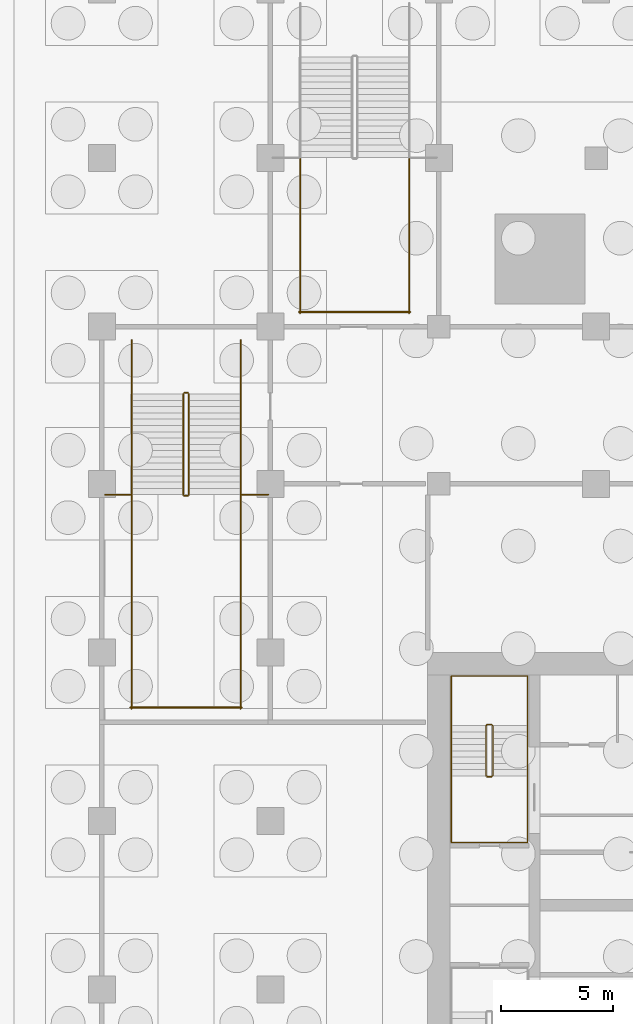
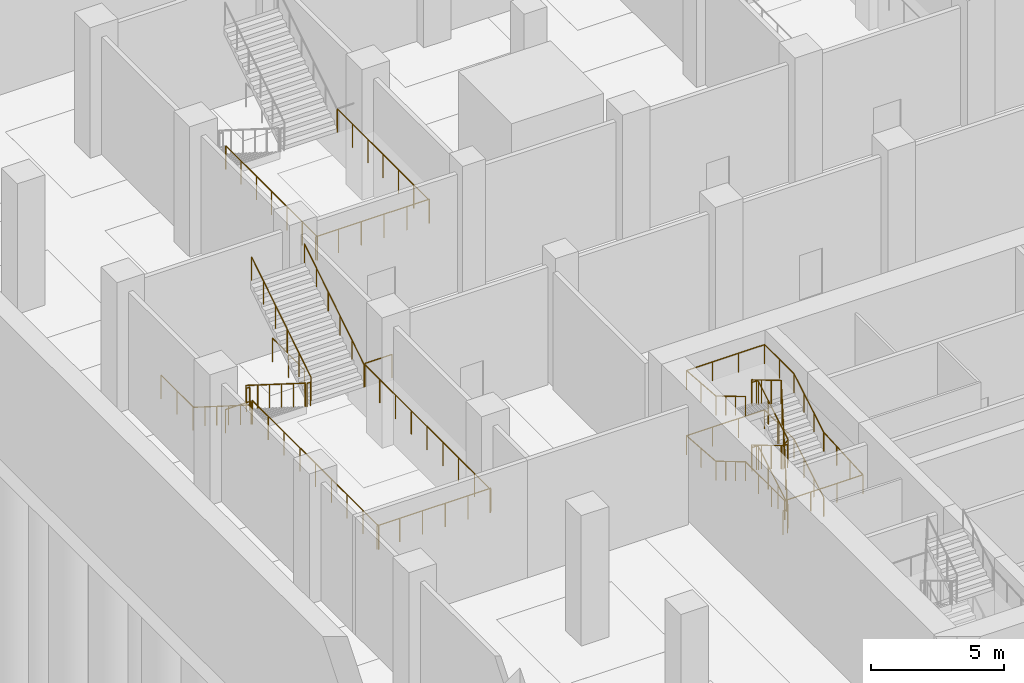
# One storey, part 30 of 39: 18 railings.
"""IFC4 building model written with IfcOpenShell, lengths in metres."""

from ifc_helpers import new_model, si_unit, direction, frame, origin, origin_2d, place, context, subcontext, project, spatial, circle, extrude, material, type_object, element, save


model = new_model("IFC4")

# Units and contexts
model_context = context("Model", 3, precision=1e-05, world=origin(), true_north=direction((0.0, 1.0)))
body_context = subcontext(model_context, "Body", "Model", "MODEL_VIEW")
ifc_project = project(units=[si_unit("LENGTHUNIT", "METRE"), si_unit("AREAUNIT", "SQUARE_METRE"), si_unit("VOLUMEUNIT", "CUBIC_METRE"), si_unit("PLANEANGLEUNIT", "RADIAN"), si_unit("MASSUNIT", "GRAM", prefix="KILO")], contexts=[model_context])

# Site, building, storey
site_placement = place(None, origin())
site = spatial("IfcSite", under=ifc_project, at=site_placement, CompositionType="ELEMENT")
building_placement = place(site_placement, origin())
building = spatial("IfcBuilding", under=site, at=building_placement, Name="Tamorin Gate", CompositionType="ELEMENT")
storey_placement = place(building_placement, frame((0.0, 0.0, -12.0)))
storey = spatial("IfcBuildingStorey", under=building, at=storey_placement, Name="B2", CompositionType="ELEMENT", Elevation=-12.0)

# Railings
ifc_material_1 = material(Name="Steel", Category="steel")
railing_type_1 = type_object("IfcRailingType", Name="Podium guard 1100", PredefinedType="GUARDRAIL", material=ifc_material_1)
railing_1_placement = place(storey_placement, frame((19.125, 94.0, 0.176513671875)))
element("IfcRailing", 1, at=railing_1_placement, inside=storey, type_object=railing_type_1, Name="B2 SB1 stair guard 1", PredefinedType="GUARDRAIL", context=body_context, shape_type="SweptSolid", body=[
    extrude(circle(Radius=0.02392578125, at=origin_2d()), frame((0.0, 0.0, 1.076171875), z_axis=(0.0, -0.845997938375, 0.533186166611), x_axis=(1.0, 0.0, 0.0)), (0.0, 0.0, 1.0), 5.29541015625),
    extrude(circle(Radius=0.02099609375, at=origin_2d()), origin(), (0.0, 0.0, 1.0), 1.052001953125),
    extrude(circle(Radius=0.02099609375, at=origin_2d()), frame((0.0, -0.89599609375, 0.564697265625)), (0.0, 0.0, 1.0), 1.052001953125),
    extrude(circle(Radius=0.02099609375, at=origin_2d()), frame((0.0, -1.7919921875, 1.12939453125)), (0.0, 0.0, 1.0), 1.052001953125),
    extrude(circle(Radius=0.02099609375, at=origin_2d()), frame((0.0, -2.68798828125, 1.694091796875)), (0.0, 0.0, 1.0), 1.052001953125),
    extrude(circle(Radius=0.02099609375, at=origin_2d()), frame((0.0, -3.583984375, 2.2587890625)), (0.0, 0.0, 1.0), 1.052001953125),
    extrude(circle(Radius=0.02099609375, at=origin_2d()), frame((0.0, -4.47998046875, 2.823486328125)), (0.0, 0.0, 1.0), 1.052001953125),
])
railing_2_placement = place(storey_placement, frame((19.175048828125, 89.469970703125, 3.0)))
element("IfcRailing", 2, at=railing_2_placement, inside=storey, type_object=railing_type_1, Name="B2 SB1 stair guard 2", PredefinedType="GUARDRAIL", context=body_context, shape_type="SweptSolid", body=[
    extrude(circle(Radius=0.02392578125, at=origin_2d()), frame((0.0, 0.0, 1.076171875), z_axis=(1.0, 0.0, 0.0), x_axis=(0.0, 1.0, 0.0)), (0.0, 0.0, 1.0), 0.14990234375),
    extrude(circle(Radius=0.02099609375, at=origin_2d()), origin(), (0.0, 0.0, 1.0), 1.052001953125),
    extrude(circle(Radius=0.02099609375, at=origin_2d()), frame((0.14990234375, 0.0, 0.0)), (0.0, 0.0, 1.0), 1.052001953125),
])
for number, where, name in (
    (3, (16.824951171875, 89.52001953125, 3.0), "B2 SB1 stair guard 3"),
    (4, (21.675048828125, 89.52001953125, 3.0), "B2 SB1 stair guard 4"),
):
    element("IfcRailing", number, at=place(storey_placement, frame(where)), inside=storey, type_object=railing_type_1, Name=name, PredefinedType="GUARDRAIL", context=body_context, shape_type="SweptSolid", body=[
        extrude(circle(Radius=0.02392578125, at=origin_2d()), frame((0.0, 0.0, 1.076171875), z_axis=(0.0, -1.0, 0.0), x_axis=(1.0, 0.0, 0.0)), (0.0, 0.0, 1.0), 9.52001953125),
        extrude(circle(Radius=0.02099609375, at=origin_2d()), origin(), (0.0, 0.0, 1.0), 1.052001953125),
        extrude(circle(Radius=0.02099609375, at=origin_2d()), frame((0.0, -1.18994140625, 0.0)), (0.0, 0.0, 1.0), 1.052001953125),
        extrude(circle(Radius=0.02099609375, at=origin_2d()), frame((0.0, -2.3798828125, 0.0)), (0.0, 0.0, 1.0), 1.052001953125),
        extrude(circle(Radius=0.02099609375, at=origin_2d()), frame((0.0, -3.570068359375, 0.0)), (0.0, 0.0, 1.0), 1.052001953125),
        extrude(circle(Radius=0.02099609375, at=origin_2d()), frame((0.0, -4.760009765625, 0.0)), (0.0, 0.0, 1.0), 1.052001953125),
        extrude(circle(Radius=0.02099609375, at=origin_2d()), frame((0.0, -5.949951171875, 0.0)), (0.0, 0.0, 1.0), 1.052001953125),
        extrude(circle(Radius=0.02099609375, at=origin_2d()), frame((0.0, -7.14013671875, 0.0)), (0.0, 0.0, 1.0), 1.052001953125),
        extrude(circle(Radius=0.02099609375, at=origin_2d()), frame((0.0, -8.330078125, 0.0)), (0.0, 0.0, 1.0), 1.052001953125),
        extrude(circle(Radius=0.02099609375, at=origin_2d()), frame((0.0, -9.52001953125, 0.0)), (0.0, 0.0, 1.0), 1.052001953125),
    ])
railing_3_placement = place(storey_placement, frame((16.77490234375, 80.050048828125, 3.0)))
element("IfcRailing", 5, at=railing_3_placement, inside=storey, type_object=railing_type_1, Name="B2 SB1 stair guard 5", PredefinedType="GUARDRAIL", context=body_context, shape_type="SweptSolid", body=[
    extrude(circle(Radius=0.02392578125, at=origin_2d()), frame((0.0, 0.0, 1.076171875), z_axis=(1.0, 0.0, 0.0), x_axis=(0.0, 1.0, 0.0)), (0.0, 0.0, 1.0), 4.9501953125),
    extrude(circle(Radius=0.02099609375, at=origin_2d()), origin(), (0.0, 0.0, 1.0), 1.052001953125),
    extrude(circle(Radius=0.02099609375, at=origin_2d()), frame((0.989990234375, 0.0, 0.0)), (0.0, 0.0, 1.0), 1.052001953125),
    extrude(circle(Radius=0.02099609375, at=origin_2d()), frame((1.97998046875, 0.0, 0.0)), (0.0, 0.0, 1.0), 1.052001953125),
    extrude(circle(Radius=0.02099609375, at=origin_2d()), frame((2.97021484375, 0.0, 0.0)), (0.0, 0.0, 1.0), 1.052001953125),
    extrude(circle(Radius=0.02099609375, at=origin_2d()), frame((3.960205078125, 0.0, 0.0)), (0.0, 0.0, 1.0), 1.052001953125),
    extrude(circle(Radius=0.02099609375, at=origin_2d()), frame((4.9501953125, 0.0, 0.0)), (0.0, 0.0, 1.0), 1.052001953125),
])
railing_4_placement = place(storey_placement, frame((19.375, 89.52001953125, 3.176513671875)))
element("IfcRailing", 6, at=railing_4_placement, inside=storey, type_object=railing_type_1, Name="B2 SB1 stair guard 6", PredefinedType="GUARDRAIL", context=body_context, shape_type="SweptSolid", body=[
    extrude(circle(Radius=0.02392578125, at=origin_2d()), frame((0.0, 0.0, 1.076171875), z_axis=(0.0, 0.845997938375, 0.533186166611), x_axis=(-1.0, 0.0, 0.0)), (0.0, 0.0, 1.0), 5.29541015625),
    extrude(circle(Radius=0.02099609375, at=origin_2d()), origin(), (0.0, 0.0, 1.0), 1.052001953125),
    extrude(circle(Radius=0.02099609375, at=origin_2d()), frame((0.0, 0.89599609375, 0.564697265625)), (0.0, 0.0, 1.0), 1.052001953125),
    extrude(circle(Radius=0.02099609375, at=origin_2d()), frame((0.0, 1.7919921875, 1.12939453125)), (0.0, 0.0, 1.0), 1.052001953125),
    extrude(circle(Radius=0.02099609375, at=origin_2d()), frame((0.0, 2.68798828125, 1.694091796875)), (0.0, 0.0, 1.0), 1.052001953125),
    extrude(circle(Radius=0.02099609375, at=origin_2d()), frame((0.0, 3.583984375, 2.2587890625)), (0.0, 0.0, 1.0), 1.052001953125),
    extrude(circle(Radius=0.02099609375, at=origin_2d()), frame((0.0, 4.47998046875, 2.823486328125)), (0.0, 0.0, 1.0), 1.052001953125),
])
railing_5_placement = place(storey_placement, frame((19.175048828125, 94.050048828125, 0.0)))
element("IfcRailing", 7, at=railing_5_placement, inside=storey, type_object=railing_type_1, Name="B2 SB1 stair guard 7", PredefinedType="GUARDRAIL", context=body_context, shape_type="SweptSolid", body=[
    extrude(circle(Radius=0.02392578125, at=origin_2d()), frame((0.0, 0.0, 1.076171875), z_axis=(1.0, 0.0, 0.0), x_axis=(0.0, 1.0, 0.0)), (0.0, 0.0, 1.0), 0.14990234375),
    extrude(circle(Radius=0.02099609375, at=origin_2d()), origin(), (0.0, 0.0, 1.0), 1.052001953125),
    extrude(circle(Radius=0.02099609375, at=origin_2d()), frame((0.14990234375, 0.0, 0.0)), (0.0, 0.0, 1.0), 1.052001953125),
])
for number, where, name in (
    (8, (16.824951171875, 96.39990234375, 0.0), "B2 SB1 stair guard 8"),
    (9, (21.675048828125, 96.39990234375, 0.0), "B2 SB1 stair guard 9"),
):
    element("IfcRailing", number, at=place(storey_placement, frame(where)), inside=storey, type_object=railing_type_1, Name=name, PredefinedType="GUARDRAIL", context=body_context, shape_type="SweptSolid", body=[
        extrude(circle(Radius=0.02392578125, at=origin_2d()), frame((0.0, 0.0, 1.076171875), z_axis=(0.0, -1.0, 0.0), x_axis=(1.0, 0.0, 0.0)), (0.0, 0.0, 1.0), 2.39990234375),
        extrude(circle(Radius=0.02099609375, at=origin_2d()), origin(), (0.0, 0.0, 1.0), 1.052001953125),
        extrude(circle(Radius=0.02099609375, at=origin_2d()), frame((0.0, -1.199951171875, 0.0)), (0.0, 0.0, 1.0), 1.052001953125),
        extrude(circle(Radius=0.02099609375, at=origin_2d()), frame((0.0, -2.39990234375, 0.0)), (0.0, 0.0, 1.0), 1.052001953125),
    ])
railing_6_placement = place(storey_placement, frame((15.64990234375, 89.52001953125, 3.0)))
element("IfcRailing", 10, at=railing_6_placement, inside=storey, type_object=railing_type_1, Name="Landing edge guard", PredefinedType="GUARDRAIL", context=body_context, shape_type="SweptSolid", body=[
    extrude(circle(Radius=0.02392578125, at=origin_2d()), frame((0.0, 0.0, 1.076171875), z_axis=(1.0, 0.0, 0.0), x_axis=(0.0, 1.0, 0.0)), (0.0, 0.0, 1.0), 1.125),
    extrude(circle(Radius=0.02099609375, at=origin_2d()), origin(), (0.0, 0.0, 1.0), 1.052001953125),
    extrude(circle(Radius=0.02099609375, at=origin_2d()), frame((1.125, 0.0, 0.0)), (0.0, 0.0, 1.0), 1.052001953125),
])
railing_7_placement = place(storey_placement, frame((21.72509765625, 89.52001953125, 3.0)))
element("IfcRailing", 11, at=railing_7_placement, inside=storey, type_object=railing_type_1, Name="Landing edge guard", PredefinedType="GUARDRAIL", context=body_context, shape_type="SweptSolid", body=[
    extrude(circle(Radius=0.02392578125, at=origin_2d()), frame((0.0, 0.0, 1.076171875), z_axis=(1.0, 0.0, 0.0), x_axis=(0.0, 1.0, 0.0)), (0.0, 0.0, 1.0), 1.1748046875),
    extrude(circle(Radius=0.02099609375, at=origin_2d()), origin(), (0.0, 0.0, 1.0), 1.052001953125),
    extrude(circle(Radius=0.02099609375, at=origin_2d()), frame((1.1748046875, 0.0, 0.0)), (0.0, 0.0, 1.0), 1.052001953125),
])
for number, where, name in (
    (12, (24.324951171875, 104.52001953125, 3.0), "B2 SB2 stair guard 3"),
    (13, (29.175048828125, 104.52001953125, 3.0), "B2 SB2 stair guard 4"),
):
    element("IfcRailing", number, at=place(storey_placement, frame(where)), inside=storey, type_object=railing_type_1, Name=name, PredefinedType="GUARDRAIL", context=body_context, shape_type="SweptSolid", body=[
        extrude(circle(Radius=0.02392578125, at=origin_2d()), frame((0.0, 0.0, 1.076171875), z_axis=(0.0, -1.0, 0.0), x_axis=(1.0, 0.0, 0.0)), (0.0, 0.0, 1.0), 6.919921875),
        extrude(circle(Radius=0.02099609375, at=origin_2d()), origin(), (0.0, 0.0, 1.0), 1.052001953125),
        extrude(circle(Radius=0.02099609375, at=origin_2d()), frame((0.0, -1.1533203125, 0.0)), (0.0, 0.0, 1.0), 1.052001953125),
        extrude(circle(Radius=0.02099609375, at=origin_2d()), frame((0.0, -2.306640625, 0.0)), (0.0, 0.0, 1.0), 1.052001953125),
        extrude(circle(Radius=0.02099609375, at=origin_2d()), frame((0.0, -3.4599609375, 0.0)), (0.0, 0.0, 1.0), 1.052001953125),
        extrude(circle(Radius=0.02099609375, at=origin_2d()), frame((0.0, -4.61328125, 0.0)), (0.0, 0.0, 1.0), 1.052001953125),
        extrude(circle(Radius=0.02099609375, at=origin_2d()), frame((0.0, -5.7666015625, 0.0)), (0.0, 0.0, 1.0), 1.052001953125),
        extrude(circle(Radius=0.02099609375, at=origin_2d()), frame((0.0, -6.919921875, 0.0)), (0.0, 0.0, 1.0), 1.052001953125),
    ])
railing_8_placement = place(storey_placement, frame((24.27490234375, 97.64990234375, 3.0)))
element("IfcRailing", 14, at=railing_8_placement, inside=storey, type_object=railing_type_1, Name="B2 SB2 stair guard 5", PredefinedType="GUARDRAIL", context=body_context, shape_type="SweptSolid", body=[
    extrude(circle(Radius=0.02392578125, at=origin_2d()), frame((0.0, 0.0, 1.076171875), z_axis=(1.0, 0.0, 0.0), x_axis=(0.0, 1.0, 0.0)), (0.0, 0.0, 1.0), 4.9501953125),
    extrude(circle(Radius=0.02099609375, at=origin_2d()), origin(), (0.0, 0.0, 1.0), 1.052001953125),
    extrude(circle(Radius=0.02099609375, at=origin_2d()), frame((0.989990234375, 0.0, 0.0)), (0.0, 0.0, 1.0), 1.052001953125),
    extrude(circle(Radius=0.02099609375, at=origin_2d()), frame((1.97998046875, 0.0, 0.0)), (0.0, 0.0, 1.0), 1.052001953125),
    extrude(circle(Radius=0.02099609375, at=origin_2d()), frame((2.97021484375, 0.0, 0.0)), (0.0, 0.0, 1.0), 1.052001953125),
    extrude(circle(Radius=0.02099609375, at=origin_2d()), frame((3.960205078125, 0.0, 0.0)), (0.0, 0.0, 1.0), 1.052001953125),
    extrude(circle(Radius=0.02099609375, at=origin_2d()), frame((4.9501953125, 0.0, 0.0)), (0.0, 0.0, 1.0), 1.052001953125),
])
railing_type_2 = type_object("IfcRailingType", Name="Podium stair handrail 900", PredefinedType="HANDRAIL", material=ifc_material_1)
railing_9_placement = place(storey_placement, frame((16.824951171875, 94.0, 0.176513671875)))
element("IfcRailing", 15, at=railing_9_placement, inside=storey, type_object=railing_type_2, Name="B2 SB1 stair handrail 1", PredefinedType="HANDRAIL", context=body_context, shape_type="SweptSolid", body=[
    extrude(circle(Radius=0.02392578125, at=origin_2d()), frame((0.0, 0.0, 0.8759765625), z_axis=(0.0, -0.845997938375, 0.533186166611), x_axis=(1.0, 0.0, 0.0)), (0.0, 0.0, 1.0), 5.29541015625),
    extrude(circle(Radius=0.02099609375, at=origin_2d()), origin(), (0.0, 0.0, 1.0), 0.851806640625),
    extrude(circle(Radius=0.02099609375, at=origin_2d()), frame((0.0, -0.89599609375, 0.564697265625)), (0.0, 0.0, 1.0), 0.851806640625),
    extrude(circle(Radius=0.02099609375, at=origin_2d()), frame((0.0, -1.7919921875, 1.12939453125)), (0.0, 0.0, 1.0), 0.851806640625),
    extrude(circle(Radius=0.02099609375, at=origin_2d()), frame((0.0, -2.68798828125, 1.694091796875)), (0.0, 0.0, 1.0), 0.851806640625),
    extrude(circle(Radius=0.02099609375, at=origin_2d()), frame((0.0, -3.583984375, 2.2587890625)), (0.0, 0.0, 1.0), 0.851806640625),
    extrude(circle(Radius=0.02099609375, at=origin_2d()), frame((0.0, -4.47998046875, 2.823486328125)), (0.0, 0.0, 1.0), 0.851806640625),
])
railing_10_placement = place(storey_placement, frame((21.675048828125, 89.52001953125, 3.176513671875)))
element("IfcRailing", 16, at=railing_10_placement, inside=storey, type_object=railing_type_2, Name="B2 SB1 stair handrail 2", PredefinedType="HANDRAIL", context=body_context, shape_type="SweptSolid", body=[
    extrude(circle(Radius=0.02392578125, at=origin_2d()), frame((0.0, 0.0, 0.8759765625), z_axis=(0.0, 0.845997938375, 0.533186166611), x_axis=(-1.0, 0.0, 0.0)), (0.0, 0.0, 1.0), 5.29541015625),
    extrude(circle(Radius=0.02099609375, at=origin_2d()), origin(), (0.0, 0.0, 1.0), 0.851806640625),
    extrude(circle(Radius=0.02099609375, at=origin_2d()), frame((0.0, 0.89599609375, 0.564697265625)), (0.0, 0.0, 1.0), 0.851806640625),
    extrude(circle(Radius=0.02099609375, at=origin_2d()), frame((0.0, 1.7919921875, 1.12939453125)), (0.0, 0.0, 1.0), 0.851806640625),
    extrude(circle(Radius=0.02099609375, at=origin_2d()), frame((0.0, 2.68798828125, 1.694091796875)), (0.0, 0.0, 1.0), 0.851806640625),
    extrude(circle(Radius=0.02099609375, at=origin_2d()), frame((0.0, 3.583984375, 2.2587890625)), (0.0, 0.0, 1.0), 0.851806640625),
    extrude(circle(Radius=0.02099609375, at=origin_2d()), frame((0.0, 4.47998046875, 2.823486328125)), (0.0, 0.0, 1.0), 0.851806640625),
])
ifc_material_2 = material(Name="Painted steel balustrade", Category="steel")
railing_type_3 = type_object("IfcRailingType", Name="Stair guard 1100", PredefinedType="GUARDRAIL", material=ifc_material_2)
railing_11_placement = place(storey_placement, frame((32.89990234375, 77.0, 0.166748046875)))
element("IfcRailing", 17, at=railing_11_placement, inside=storey, type_object=railing_type_3, Name="B2 ST2 stair guard 1", PredefinedType="GUARDRAIL", context=body_context, shape_type="SweptSolid", body=[
    extrude(circle(Radius=0.02392578125, at=origin_2d()), frame((0.0, 0.0, 1.076171875), z_axis=(0.0, 0.859305625298, 0.511462454469), x_axis=(-1.0, 0.0, 0.0)), (0.0, 0.0, 1.0), 2.606689453125),
    extrude(circle(Radius=0.02392578125, at=origin_2d()), frame((0.0, 2.239990234375, 2.4091796875), z_axis=(-0.705375805398, 0.708833529934, 0.0), x_axis=(-0.708833529934, -0.705375805398, 0.0)), (0.0, 0.0, 1.0), 0.070556640625),
    extrude(circle(Radius=0.02392578125, at=origin_2d()), frame((-0.0498046875, 2.2900390625, 2.4091796875), z_axis=(-1.0, 0.0, 0.0), x_axis=(0.0, -1.0, 0.0)), (0.0, 0.0, 1.0), 0.2001953125),
    extrude(circle(Radius=0.02392578125, at=origin_2d()), frame((-0.25, 2.2900390625, 2.4091796875), z_axis=(-0.275041040955, -0.276389281352, 0.920848191041), x_axis=(0.708833529934, -0.705375805398, 0.0)), (0.0, 0.0, 1.0), 0.18115234375),
    extrude(circle(Radius=0.02392578125, at=origin_2d()), frame((-0.2998046875, 2.239990234375, 2.576171875), z_axis=(0.0, -0.859305625298, 0.511462454469), x_axis=(1.0, 0.0, 0.0)), (0.0, 0.0, 1.0), 2.606689453125),
    extrude(circle(Radius=0.02392578125, at=origin_2d()), frame((-0.2998046875, 0.0, 3.9091796875), z_axis=(0.98054382908, -0.196300278283, 0.0), x_axis=(0.196300278283, 0.98054382908, 0.0)), (0.0, 0.0, 1.0), 0.2548828125),
    extrude(circle(Radius=0.02392578125, at=origin_2d()), frame((-0.0498046875, -0.050048828125, 3.9091796875), z_axis=(-1.0, 0.0, 0.0), x_axis=(0.0, -1.0, 0.0)), (0.0, 0.0, 1.0), 0.2001953125),
    extrude(circle(Radius=0.02392578125, at=origin_2d()), frame((-0.25, -0.050048828125, 3.9091796875), z_axis=(0.820621892478, 0.164284656209, 0.547348391174), x_axis=(-0.196300278283, 0.98054382908, 0.0)), (0.0, 0.0, 1.0), 0.3046875),
    extrude(circle(Radius=0.02392578125, at=origin_2d()), frame((0.0, 0.0, 4.076171875), z_axis=(0.0, 0.859305625298, 0.511462454469), x_axis=(-1.0, 0.0, 0.0)), (0.0, 0.0, 1.0), 2.606689453125),
    extrude(circle(Radius=0.02392578125, at=origin_2d()), frame((0.0, 2.239990234375, 5.4091796875), z_axis=(-0.705375805398, 0.708833529934, 0.0), x_axis=(-0.708833529934, -0.705375805398, 0.0)), (0.0, 0.0, 1.0), 0.070556640625),
    extrude(circle(Radius=0.02392578125, at=origin_2d()), frame((-0.0498046875, 2.2900390625, 5.4091796875), z_axis=(-1.0, 0.0, 0.0), x_axis=(0.0, -1.0, 0.0)), (0.0, 0.0, 1.0), 0.2001953125),
    extrude(circle(Radius=0.02392578125, at=origin_2d()), frame((-0.25, 2.2900390625, 5.4091796875), z_axis=(-0.275041040955, -0.276389281352, 0.920848191041), x_axis=(0.708833529934, -0.705375805398, 0.0)), (0.0, 0.0, 1.0), 0.18115234375),
    extrude(circle(Radius=0.02392578125, at=origin_2d()), frame((-0.2998046875, 2.239990234375, 5.576171875), z_axis=(0.0, -0.859305625298, 0.511462454469), x_axis=(1.0, 0.0, 0.0)), (0.0, 0.0, 1.0), 2.606689453125),
    extrude(circle(Radius=0.02392578125, at=origin_2d()), frame((-0.2998046875, 0.0, 6.9091796875), z_axis=(0.041629098968, -0.008333950477, -0.999098375231), x_axis=(0.196300278283, 0.98054382908, 0.0)), (0.0, 0.0, 1.0), 6.00537109375),
    extrude(circle(Radius=0.02392578125, at=origin_2d()), frame((-0.0498046875, -0.050048828125, 0.9091796875), z_axis=(-1.0, 0.0, 0.0), x_axis=(0.0, -1.0, 0.0)), (0.0, 0.0, 1.0), 0.2001953125),
    extrude(circle(Radius=0.02099609375, at=origin_2d()), origin(), (0.0, 0.0, 1.0), 1.052001953125),
    extrude(circle(Radius=0.02099609375, at=origin_2d()), frame((0.0, 0.74658203125, 0.4443359375)), (0.0, 0.0, 1.0), 1.052001953125),
    extrude(circle(Radius=0.02099609375, at=origin_2d()), frame((0.0, 1.493408203125, 0.888916015625)), (0.0, 0.0, 1.0), 1.052001953125),
    extrude(circle(Radius=0.02099609375, at=origin_2d()), frame((0.0, 2.239990234375, 1.333251953125)), (0.0, 0.0, 1.0), 1.052001953125),
    extrude(circle(Radius=0.02099609375, at=origin_2d()), frame((-0.0498046875, 2.2900390625, 1.333251953125)), (0.0, 0.0, 1.0), 1.052001953125),
    extrude(circle(Radius=0.02099609375, at=origin_2d()), frame((-0.25, 2.2900390625, 1.333251953125)), (0.0, 0.0, 1.0), 1.052001953125),
    extrude(circle(Radius=0.02099609375, at=origin_2d()), frame((-0.2998046875, 2.239990234375, 1.5)), (0.0, 0.0, 1.0), 1.052001953125),
    extrude(circle(Radius=0.02099609375, at=origin_2d()), frame((-0.2998046875, 1.493408203125, 1.9443359375)), (0.0, 0.0, 1.0), 1.052001953125),
    extrude(circle(Radius=0.02099609375, at=origin_2d()), frame((-0.2998046875, 0.74658203125, 2.388916015625)), (0.0, 0.0, 1.0), 1.052001953125),
    extrude(circle(Radius=0.02099609375, at=origin_2d()), frame((-0.2998046875, 0.0, 2.833251953125)), (0.0, 0.0, 1.0), 1.052001953125),
    extrude(circle(Radius=0.02099609375, at=origin_2d()), frame((-0.0498046875, -0.050048828125, 2.833251953125)), (0.0, 0.0, 1.0), 1.052001953125),
    extrude(circle(Radius=0.02099609375, at=origin_2d()), frame((-0.25, -0.050048828125, 2.833251953125)), (0.0, 0.0, 1.0), 1.052001953125),
    extrude(circle(Radius=0.02099609375, at=origin_2d()), frame((0.0, 0.0, 3.0)), (0.0, 0.0, 1.0), 1.052001953125),
    extrude(circle(Radius=0.02099609375, at=origin_2d()), frame((0.0, 0.74658203125, 3.4443359375)), (0.0, 0.0, 1.0), 1.052001953125),
    extrude(circle(Radius=0.02099609375, at=origin_2d()), frame((0.0, 1.493408203125, 3.888916015625)), (0.0, 0.0, 1.0), 1.052001953125),
    extrude(circle(Radius=0.02099609375, at=origin_2d()), frame((0.0, 2.239990234375, 4.333251953125)), (0.0, 0.0, 1.0), 1.052001953125),
    extrude(circle(Radius=0.02099609375, at=origin_2d()), frame((-0.0498046875, 2.2900390625, 4.333251953125)), (0.0, 0.0, 1.0), 1.052001953125),
    extrude(circle(Radius=0.02099609375, at=origin_2d()), frame((-0.25, 2.2900390625, 4.333251953125)), (0.0, 0.0, 1.0), 1.052001953125),
    extrude(circle(Radius=0.02099609375, at=origin_2d()), frame((-0.2998046875, 2.239990234375, 4.5)), (0.0, 0.0, 1.0), 1.052001953125),
    extrude(circle(Radius=0.02099609375, at=origin_2d()), frame((-0.2998046875, 1.493408203125, 4.9443359375)), (0.0, 0.0, 1.0), 1.052001953125),
    extrude(circle(Radius=0.02099609375, at=origin_2d()), frame((-0.2998046875, 0.74658203125, 5.388916015625)), (0.0, 0.0, 1.0), 1.052001953125),
    extrude(circle(Radius=0.02099609375, at=origin_2d()), frame((-0.2998046875, 0.0, 5.833251953125)), (0.0, 0.0, 1.0), 1.052001953125),
    extrude(circle(Radius=0.02099609375, at=origin_2d()), frame((-0.258056640625, -0.00830078125, 4.833251953125)), (0.0, 0.0, 1.0), 1.052001953125),
    extrude(circle(Radius=0.02099609375, at=origin_2d()), frame((-0.216552734375, -0.0166015625, 3.833251953125)), (0.0, 0.0, 1.0), 1.052001953125),
    extrude(circle(Radius=0.02099609375, at=origin_2d()), frame((-0.1748046875, -0.02490234375, 2.833251953125)), (0.0, 0.0, 1.0), 1.052001953125),
    extrude(circle(Radius=0.02099609375, at=origin_2d()), frame((-0.133056640625, -0.033447265625, 1.833251953125)), (0.0, 0.0, 1.0), 1.052001953125),
    extrude(circle(Radius=0.02099609375, at=origin_2d()), frame((-0.091552734375, -0.041748046875, 0.833251953125)), (0.0, 0.0, 1.0), 1.052001953125),
    extrude(circle(Radius=0.02099609375, at=origin_2d()), frame((-0.0498046875, -0.050048828125, -0.166748046875)), (0.0, 0.0, 1.0), 1.052001953125),
    extrude(circle(Radius=0.02099609375, at=origin_2d()), frame((-0.25, -0.050048828125, -0.166748046875)), (0.0, 0.0, 1.0), 1.052001953125),
])
ifc_material_3 = material(Name="Painted steel handrail", Category="steel")
railing_type_4 = type_object("IfcRailingType", Name="Stair handrail 900", PredefinedType="HANDRAIL", material=ifc_material_3)
railing_12_placement = place(storey_placement, frame((34.449951171875, 77.0, 0.166748046875)))
element("IfcRailing", 18, at=railing_12_placement, inside=storey, type_object=railing_type_4, Name="B2 ST2 stair handrail 1", PredefinedType="HANDRAIL", context=body_context, shape_type="SweptSolid", body=[
    extrude(circle(Radius=0.02392578125, at=origin_2d()), frame((0.0, 0.0, 0.8759765625), z_axis=(0.0, 0.859305625298, 0.511462454469), x_axis=(-1.0, 0.0, 0.0)), (0.0, 0.0, 1.0), 2.606689453125),
    extrude(circle(Radius=0.02392578125, at=origin_2d()), frame((0.0, 2.239990234375, 2.208984375), z_axis=(0.0, 1.0, 0.0), x_axis=(-1.0, 0.0, 0.0)), (0.0, 0.0, 1.0), 2.2099609375),
    extrude(circle(Radius=0.02392578125, at=origin_2d()), frame((0.0, 4.449951171875, 2.208984375), z_axis=(-1.0, 0.0, 0.0), x_axis=(0.0, -1.0, 0.0)), (0.0, 0.0, 1.0), 3.39990234375),
    extrude(circle(Radius=0.02392578125, at=origin_2d()), frame((-3.39990234375, 4.449951171875, 2.208984375), z_axis=(0.0, -0.997165524118, 0.075239069042), x_axis=(1.0, 0.0, 0.0)), (0.0, 0.0, 1.0), 2.21630859375),
    extrude(circle(Radius=0.02392578125, at=origin_2d()), frame((-3.39990234375, 2.239990234375, 2.3759765625), z_axis=(0.0, -0.859305625298, 0.511462454469), x_axis=(1.0, 0.0, 0.0)), (0.0, 0.0, 1.0), 2.606689453125),
    extrude(circle(Radius=0.02392578125, at=origin_2d()), frame((-3.39990234375, 0.0, 3.708984375), z_axis=(0.0, -1.0, 0.0), x_axis=(1.0, 0.0, 0.0)), (0.0, 0.0, 1.0), 2.949951171875),
    extrude(circle(Radius=0.02392578125, at=origin_2d()), frame((-3.39990234375, -2.949951171875, 3.708984375), z_axis=(1.0, 0.0, 0.0), x_axis=(0.0, 1.0, 0.0)), (0.0, 0.0, 1.0), 3.39990234375),
    extrude(circle(Radius=0.02392578125, at=origin_2d()), frame((0.0, -2.949951171875, 3.708984375), z_axis=(0.0, 0.998406240989, 0.056435608921), x_axis=(-1.0, 0.0, 0.0)), (0.0, 0.0, 1.0), 2.95458984375),
    extrude(circle(Radius=0.02392578125, at=origin_2d()), frame((0.0, 0.0, 3.8759765625), z_axis=(0.0, 0.859305625298, 0.511462454469), x_axis=(-1.0, 0.0, 0.0)), (0.0, 0.0, 1.0), 2.606689453125),
    extrude(circle(Radius=0.02392578125, at=origin_2d()), frame((0.0, 2.239990234375, 5.208984375), z_axis=(0.0, 1.0, 0.0), x_axis=(-1.0, 0.0, 0.0)), (0.0, 0.0, 1.0), 2.2099609375),
    extrude(circle(Radius=0.02392578125, at=origin_2d()), frame((0.0, 4.449951171875, 5.208984375), z_axis=(-1.0, 0.0, 0.0), x_axis=(0.0, -1.0, 0.0)), (0.0, 0.0, 1.0), 3.39990234375),
    extrude(circle(Radius=0.02392578125, at=origin_2d()), frame((-3.39990234375, 4.449951171875, 5.208984375), z_axis=(0.0, -0.997165524118, 0.075239069042), x_axis=(1.0, 0.0, 0.0)), (0.0, 0.0, 1.0), 2.21630859375),
    extrude(circle(Radius=0.02392578125, at=origin_2d()), frame((-3.39990234375, 2.239990234375, 5.3759765625), z_axis=(0.0, -0.859305625298, 0.511462454469), x_axis=(1.0, 0.0, 0.0)), (0.0, 0.0, 1.0), 2.606689453125),
    extrude(circle(Radius=0.02099609375, at=origin_2d()), origin(), (0.0, 0.0, 1.0), 0.851806640625),
    extrude(circle(Radius=0.02099609375, at=origin_2d()), frame((0.0, 0.74658203125, 0.4443359375)), (0.0, 0.0, 1.0), 0.851806640625),
    extrude(circle(Radius=0.02099609375, at=origin_2d()), frame((0.0, 1.493408203125, 0.888916015625)), (0.0, 0.0, 1.0), 0.851806640625),
    extrude(circle(Radius=0.02099609375, at=origin_2d()), frame((0.0, 2.239990234375, 1.333251953125)), (0.0, 0.0, 1.0), 0.851806640625),
    extrude(circle(Radius=0.02099609375, at=origin_2d()), frame((0.0, 3.344970703125, 1.333251953125)), (0.0, 0.0, 1.0), 0.851806640625),
    extrude(circle(Radius=0.02099609375, at=origin_2d()), frame((0.0, 4.449951171875, 1.333251953125)), (0.0, 0.0, 1.0), 0.851806640625),
    extrude(circle(Radius=0.02099609375, at=origin_2d()), frame((-1.13330078125, 4.449951171875, 1.333251953125)), (0.0, 0.0, 1.0), 0.851806640625),
    extrude(circle(Radius=0.02099609375, at=origin_2d()), frame((-2.2666015625, 4.449951171875, 1.333251953125)), (0.0, 0.0, 1.0), 0.851806640625),
    extrude(circle(Radius=0.02099609375, at=origin_2d()), frame((-3.39990234375, 4.449951171875, 1.333251953125)), (0.0, 0.0, 1.0), 0.851806640625),
    extrude(circle(Radius=0.02099609375, at=origin_2d()), frame((-3.39990234375, 3.344970703125, 1.41650390625)), (0.0, 0.0, 1.0), 0.851806640625),
    extrude(circle(Radius=0.02099609375, at=origin_2d()), frame((-3.39990234375, 2.239990234375, 1.5)), (0.0, 0.0, 1.0), 0.851806640625),
    extrude(circle(Radius=0.02099609375, at=origin_2d()), frame((-3.39990234375, 1.493408203125, 1.9443359375)), (0.0, 0.0, 1.0), 0.851806640625),
    extrude(circle(Radius=0.02099609375, at=origin_2d()), frame((-3.39990234375, 0.74658203125, 2.388916015625)), (0.0, 0.0, 1.0), 0.851806640625),
    extrude(circle(Radius=0.02099609375, at=origin_2d()), frame((-3.39990234375, 0.0, 2.833251953125)), (0.0, 0.0, 1.0), 0.851806640625),
    extrude(circle(Radius=0.02099609375, at=origin_2d()), frame((-3.39990234375, -0.9833984375, 2.833251953125)), (0.0, 0.0, 1.0), 0.851806640625),
    extrude(circle(Radius=0.02099609375, at=origin_2d()), frame((-3.39990234375, -1.966552734375, 2.833251953125)), (0.0, 0.0, 1.0), 0.851806640625),
    extrude(circle(Radius=0.02099609375, at=origin_2d()), frame((-3.39990234375, -2.949951171875, 2.833251953125)), (0.0, 0.0, 1.0), 0.851806640625),
    extrude(circle(Radius=0.02099609375, at=origin_2d()), frame((-2.2666015625, -2.949951171875, 2.833251953125)), (0.0, 0.0, 1.0), 0.851806640625),
    extrude(circle(Radius=0.02099609375, at=origin_2d()), frame((-1.13330078125, -2.949951171875, 2.833251953125)), (0.0, 0.0, 1.0), 0.851806640625),
    extrude(circle(Radius=0.02099609375, at=origin_2d()), frame((0.0, -2.949951171875, 2.833251953125)), (0.0, 0.0, 1.0), 0.851806640625),
    extrude(circle(Radius=0.02099609375, at=origin_2d()), frame((0.0, -1.966552734375, 2.888916015625)), (0.0, 0.0, 1.0), 0.851806640625),
    extrude(circle(Radius=0.02099609375, at=origin_2d()), frame((0.0, -0.9833984375, 2.9443359375)), (0.0, 0.0, 1.0), 0.851806640625),
    extrude(circle(Radius=0.02099609375, at=origin_2d()), frame((0.0, 0.0, 3.0)), (0.0, 0.0, 1.0), 0.851806640625),
    extrude(circle(Radius=0.02099609375, at=origin_2d()), frame((0.0, 0.74658203125, 3.4443359375)), (0.0, 0.0, 1.0), 0.851806640625),
    extrude(circle(Radius=0.02099609375, at=origin_2d()), frame((0.0, 1.493408203125, 3.888916015625)), (0.0, 0.0, 1.0), 0.851806640625),
    extrude(circle(Radius=0.02099609375, at=origin_2d()), frame((0.0, 2.239990234375, 4.333251953125)), (0.0, 0.0, 1.0), 0.851806640625),
    extrude(circle(Radius=0.02099609375, at=origin_2d()), frame((0.0, 3.344970703125, 4.333251953125)), (0.0, 0.0, 1.0), 0.851806640625),
    extrude(circle(Radius=0.02099609375, at=origin_2d()), frame((0.0, 4.449951171875, 4.333251953125)), (0.0, 0.0, 1.0), 0.851806640625),
    extrude(circle(Radius=0.02099609375, at=origin_2d()), frame((-1.13330078125, 4.449951171875, 4.333251953125)), (0.0, 0.0, 1.0), 0.851806640625),
    extrude(circle(Radius=0.02099609375, at=origin_2d()), frame((-2.2666015625, 4.449951171875, 4.333251953125)), (0.0, 0.0, 1.0), 0.851806640625),
    extrude(circle(Radius=0.02099609375, at=origin_2d()), frame((-3.39990234375, 4.449951171875, 4.333251953125)), (0.0, 0.0, 1.0), 0.851806640625),
    extrude(circle(Radius=0.02099609375, at=origin_2d()), frame((-3.39990234375, 3.344970703125, 4.41650390625)), (0.0, 0.0, 1.0), 0.851806640625),
    extrude(circle(Radius=0.02099609375, at=origin_2d()), frame((-3.39990234375, 2.239990234375, 4.5)), (0.0, 0.0, 1.0), 0.851806640625),
    extrude(circle(Radius=0.02099609375, at=origin_2d()), frame((-3.39990234375, 1.493408203125, 4.9443359375)), (0.0, 0.0, 1.0), 0.851806640625),
    extrude(circle(Radius=0.02099609375, at=origin_2d()), frame((-3.39990234375, 0.74658203125, 5.388916015625)), (0.0, 0.0, 1.0), 0.851806640625),
    extrude(circle(Radius=0.02099609375, at=origin_2d()), frame((-3.39990234375, 0.0, 5.833251953125)), (0.0, 0.0, 1.0), 0.851806640625),
])

save(model, "model.ifc")
